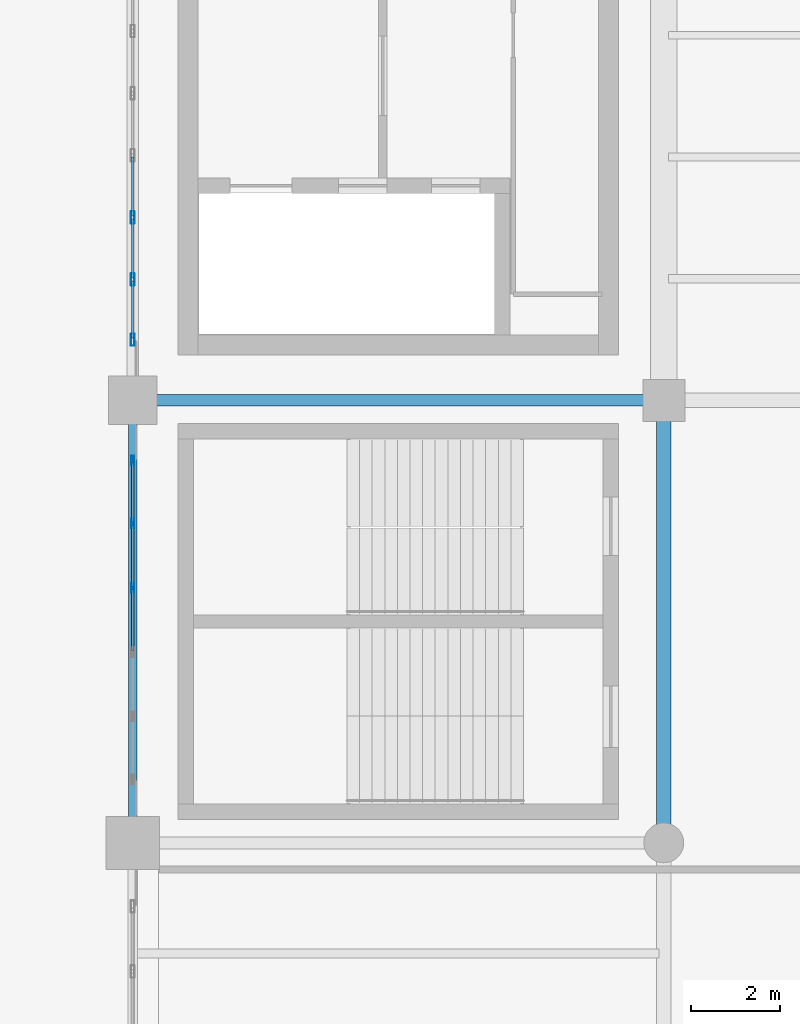
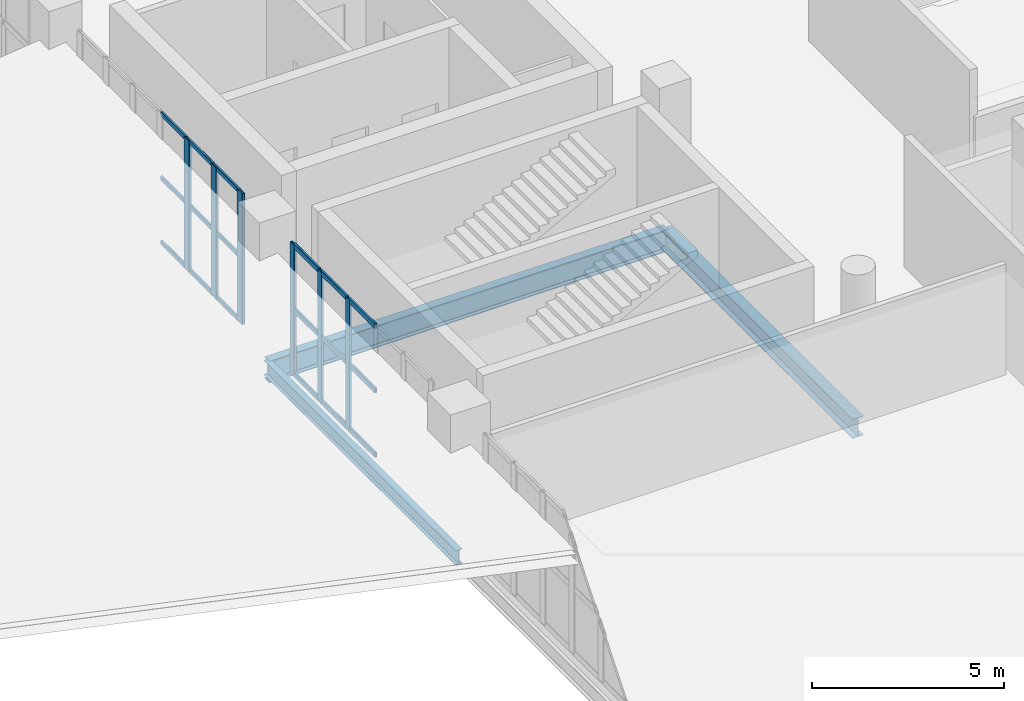
# One storey, part 23 of 90: 24 members, 3 beams, 2 elements without a shape of their own.
"""IFC4 building model written with IfcOpenShell, lengths in metres."""

from ifc_helpers import new_model, si_unit, direction, frame, origin, origin_2d, place, context, subcontext, project, spatial, hollow_rectangle, i_section, extrude, material, layer, layer_set, material_profile, profile_set, type_object, element, aggregate, save


model = new_model("IFC4")

# Units and contexts
model_context = context("Model", 3, precision=1e-05, world=origin(), true_north=direction((0.0, 1.0)))
body_context = subcontext(model_context, "Body", "Model", "MODEL_VIEW")
ifc_project = project(units=[si_unit("LENGTHUNIT", "METRE"), si_unit("AREAUNIT", "SQUARE_METRE"), si_unit("VOLUMEUNIT", "CUBIC_METRE"), si_unit("PLANEANGLEUNIT", "RADIAN"), si_unit("MASSUNIT", "GRAM", prefix="KILO")], contexts=[model_context])

# Site, building, storey
site_placement = place(None, origin())
site = spatial("IfcSite", under=ifc_project, at=site_placement, CompositionType="ELEMENT")
building_placement = place(site_placement, origin())
building = spatial("IfcBuilding", under=site, at=building_placement, Name="Brinegate Civic Arena", CompositionType="ELEMENT")
storey_placement = place(building_placement, frame((0.0, 0.0, 14.699951171875)))
storey = spatial("IfcBuildingStorey", under=building, at=storey_placement, Name="L03", CompositionType="ELEMENT", Elevation=14.699951171875)

# Curtain wall, members
ifc_material_1 = material(Name="Marine grade aluminium", Category="aluminium")
ifc_layer = layer(ifc_material_1, 0.199951171875, Name="Marine grade aluminium")
ifc_layer_set = layer_set([ifc_layer], Name="Marine grade aluminium")
curtain_wall_type = type_object("IfcCurtainWallType", Name="CW-BOWL-GLAZED-01", PredefinedType="USERDEFINED", material=ifc_layer_set)
curtain_wall_1_placement = place(storey_placement, origin())
curtain_wall_1 = element("IfcCurtainWall", 1, at=curtain_wall_1_placement, inside=storey, type_object=curtain_wall_type, Name="Curtain Wall CWA-117", ObjectType="GLAZED CURTAIN WALL", PredefinedType="USERDEFINED")
ifc_material_profile_1 = material_profile(ifc_material_1, hollow_rectangle(XDim=0.06494140625, YDim=0.219970703125, WallThickness=0.006103515625, InnerFilletRadius=0.00390625, OuterFilletRadius=0.008056640625, at=origin_2d()), Name="MUL65X220")
ifc_profile_set_1 = profile_set([ifc_material_profile_1], Name="Marine grade aluminium")
member_type_1 = type_object("IfcMemberType", Name="CW-MULLION-65X220", PredefinedType="MULLION", material=ifc_profile_set_1)
member_1_placement = place(storey_placement, frame((48.0, 77.7626953125, 0.0), z_axis=(0.0, 0.0, 1.0), x_axis=(-1.0, 0.0, 0.0)))
member_1 = element("IfcMember", 2, at=member_1_placement, type_object=member_type_1, Name="CWA-117 mullion 4", PredefinedType="MULLION", context=body_context, shape_type="SweptSolid", body=[
    extrude(hollow_rectangle(XDim=0.06494140625, YDim=0.219970703125, WallThickness=0.006103515625, InnerFilletRadius=0.00390625, OuterFilletRadius=0.008056640625, at=origin_2d()), origin(), (0.0, 0.0, 1.0), 4.16015625),
])
member_2_placement = place(storey_placement, frame((48.0, 79.21728515625, 0.0), z_axis=(0.0, 0.0, 1.0), x_axis=(-1.0, 0.0, 0.0)))
member_2 = element("IfcMember", 3, at=member_2_placement, type_object=member_type_1, Name="CWA-117 mullion 5", PredefinedType="MULLION", context=body_context, shape_type="SweptSolid", body=[
    extrude(hollow_rectangle(XDim=0.06494140625, YDim=0.219970703125, WallThickness=0.006103515625, InnerFilletRadius=0.00390625, OuterFilletRadius=0.008056640625, at=origin_2d()), origin(), (0.0, 0.0, 1.0), 4.16015625),
])
member_3_placement = place(storey_placement, frame((48.0, 80.639404296875, 0.0), z_axis=(0.0, 0.0, 1.0), x_axis=(-1.0, 0.0, 0.0)))
member_3 = element("IfcMember", 4, at=member_3_placement, type_object=member_type_1, Name="CWA-117 mullion 6", PredefinedType="MULLION", context=body_context, shape_type="SweptSolid", body=[
    extrude(hollow_rectangle(XDim=0.06494140625, YDim=0.219970703125, WallThickness=0.006103515625, InnerFilletRadius=0.00390625, OuterFilletRadius=0.008056640625, at=origin_2d()), origin(), (0.0, 0.0, 1.0), 4.16015625),
])

curtain_wall_2_placement = place(storey_placement, origin())
curtain_wall_2 = element("IfcCurtainWall", 5, at=curtain_wall_2_placement, inside=storey, type_object=curtain_wall_type, Name="Curtain Wall CWA-119", ObjectType="GLAZED CURTAIN WALL", PredefinedType="USERDEFINED")
ifc_material_profile_2 = material_profile(ifc_material_1, hollow_rectangle(XDim=0.080078125, YDim=0.280029296875, WallThickness=0.007080078125, InnerFilletRadius=0.0048828125, OuterFilletRadius=0.010009765625, at=origin_2d()), Name="MUL80X280")
ifc_profile_set_2 = profile_set([ifc_material_profile_2], Name="Marine grade aluminium")
member_type_2 = type_object("IfcMemberType", Name="CW-MULLION-80X280", PredefinedType="MULLION", material=ifc_profile_set_2)
member_4_placement = place(storey_placement, frame((48.0, 83.367919921875, 0.0), z_axis=(0.0, 0.0, 1.0), x_axis=(-1.0, 0.0, 0.0)))
member_4 = element("IfcMember", 6, at=member_4_placement, type_object=member_type_2, Name="CWA-119 mullion 1", PredefinedType="MULLION", context=body_context, shape_type="SweptSolid", body=[
    extrude(hollow_rectangle(XDim=0.080078125, YDim=0.280029296875, WallThickness=0.007080078125, InnerFilletRadius=0.0048828125, OuterFilletRadius=0.010009765625, at=origin_2d()), origin(), (0.0, 0.0, 1.0), 4.16015625),
])
member_5_placement = place(storey_placement, frame((48.0, 84.73046875, 0.0), z_axis=(0.0, 0.0, 1.0), x_axis=(-1.0, 0.0, 0.0)))
member_5 = element("IfcMember", 7, at=member_5_placement, type_object=member_type_2, Name="CWA-119 mullion 2", PredefinedType="MULLION", context=body_context, shape_type="SweptSolid", body=[
    extrude(hollow_rectangle(XDim=0.080078125, YDim=0.280029296875, WallThickness=0.007080078125, InnerFilletRadius=0.0048828125, OuterFilletRadius=0.010009765625, at=origin_2d()), origin(), (0.0, 0.0, 1.0), 4.16015625),
])
member_6_placement = place(storey_placement, frame((48.0, 86.133056640625, 0.0), z_axis=(0.0, 0.0, 1.0), x_axis=(-1.0, 0.0, 0.0)))
member_6 = element("IfcMember", 8, at=member_6_placement, type_object=member_type_2, Name="CWA-119 mullion 3", PredefinedType="MULLION", context=body_context, shape_type="SweptSolid", body=[
    extrude(hollow_rectangle(XDim=0.080078125, YDim=0.280029296875, WallThickness=0.007080078125, InnerFilletRadius=0.0048828125, OuterFilletRadius=0.010009765625, at=origin_2d()), origin(), (0.0, 0.0, 1.0), 4.16015625),
])
ifc_material_profile_3 = material_profile(ifc_material_1, hollow_rectangle(XDim=0.06494140625, YDim=0.139892578125, WallThickness=0.0048828125, InnerFilletRadius=0.00390625, OuterFilletRadius=0.008056640625, at=origin_2d()), Name="TRN65X140")
ifc_profile_set_3 = profile_set([ifc_material_profile_3], Name="Marine grade aluminium")
member_type_3 = type_object("IfcMemberType", Name="CW-TRANSOM-65X140", PredefinedType="USERDEFINED", material=ifc_profile_set_3)
member_7_placement = place(storey_placement, frame((48.0, 83.407958984375, 0.032470703125), z_axis=(0.0, 1.0, 0.0), x_axis=(-1.0, 0.0, 0.0)))
member_7 = element("IfcMember", 9, at=member_7_placement, type_object=member_type_3, Name="CWA-119 transom 1.1", ObjectType="TRANSOM", PredefinedType="USERDEFINED", context=body_context, shape_type="SweptSolid", body=[
    extrude(hollow_rectangle(XDim=0.06494140625, YDim=0.139892578125, WallThickness=0.0048828125, InnerFilletRadius=0.00390625, OuterFilletRadius=0.008056640625, at=origin_2d()), origin(), (0.0, 0.0, 1.0), 1.282470703125),
])
member_8_placement = place(storey_placement, frame((48.0, 83.407958984375, 2.080078125), z_axis=(0.0, 1.0, 0.0), x_axis=(-1.0, 0.0, 0.0)))
member_8 = element("IfcMember", 10, at=member_8_placement, type_object=member_type_3, Name="CWA-119 transom 1.2", ObjectType="TRANSOM", PredefinedType="USERDEFINED", context=body_context, shape_type="SweptSolid", body=[
    extrude(hollow_rectangle(XDim=0.06494140625, YDim=0.139892578125, WallThickness=0.0048828125, InnerFilletRadius=0.00390625, OuterFilletRadius=0.008056640625, at=origin_2d()), origin(), (0.0, 0.0, 1.0), 1.282470703125),
])
member_9_placement = place(storey_placement, frame((48.0, 83.407958984375, 4.12744140625), z_axis=(0.0, 1.0, 0.0), x_axis=(-1.0, 0.0, 0.0)))
member_9 = element("IfcMember", 11, at=member_9_placement, type_object=member_type_3, Name="CWA-119 transom 1.3", ObjectType="TRANSOM", PredefinedType="USERDEFINED", context=body_context, shape_type="SweptSolid", body=[
    extrude(hollow_rectangle(XDim=0.06494140625, YDim=0.139892578125, WallThickness=0.0048828125, InnerFilletRadius=0.00390625, OuterFilletRadius=0.008056640625, at=origin_2d()), origin(), (0.0, 0.0, 1.0), 1.282470703125),
])
member_10_placement = place(storey_placement, frame((48.0, 84.7705078125, 0.032470703125), z_axis=(0.0, 1.0, 0.0), x_axis=(-1.0, 0.0, 0.0)))
member_10 = element("IfcMember", 12, at=member_10_placement, type_object=member_type_3, Name="CWA-119 transom 2.1", ObjectType="TRANSOM", PredefinedType="USERDEFINED", context=body_context, shape_type="SweptSolid", body=[
    extrude(hollow_rectangle(XDim=0.06494140625, YDim=0.139892578125, WallThickness=0.0048828125, InnerFilletRadius=0.00390625, OuterFilletRadius=0.008056640625, at=origin_2d()), origin(), (0.0, 0.0, 1.0), 1.322509765625),
])
member_11_placement = place(storey_placement, frame((48.0, 84.7705078125, 2.080078125), z_axis=(0.0, 1.0, 0.0), x_axis=(-1.0, 0.0, 0.0)))
member_11 = element("IfcMember", 13, at=member_11_placement, type_object=member_type_3, Name="CWA-119 transom 2.2", ObjectType="TRANSOM", PredefinedType="USERDEFINED", context=body_context, shape_type="SweptSolid", body=[
    extrude(hollow_rectangle(XDim=0.06494140625, YDim=0.139892578125, WallThickness=0.0048828125, InnerFilletRadius=0.00390625, OuterFilletRadius=0.008056640625, at=origin_2d()), origin(), (0.0, 0.0, 1.0), 1.322509765625),
])
member_12_placement = place(storey_placement, frame((48.0, 84.7705078125, 4.12744140625), z_axis=(0.0, 1.0, 0.0), x_axis=(-1.0, 0.0, 0.0)))
member_12 = element("IfcMember", 14, at=member_12_placement, type_object=member_type_3, Name="CWA-119 transom 2.3", ObjectType="TRANSOM", PredefinedType="USERDEFINED", context=body_context, shape_type="SweptSolid", body=[
    extrude(hollow_rectangle(XDim=0.06494140625, YDim=0.139892578125, WallThickness=0.0048828125, InnerFilletRadius=0.00390625, OuterFilletRadius=0.008056640625, at=origin_2d()), origin(), (0.0, 0.0, 1.0), 1.322509765625),
])
member_13_placement = place(storey_placement, frame((48.0, 86.173095703125, 0.032470703125), z_axis=(0.0, 1.0, 0.0), x_axis=(-1.0, 0.0, 0.0)))
member_13 = element("IfcMember", 15, at=member_13_placement, type_object=member_type_3, Name="CWA-119 transom 3.1", ObjectType="TRANSOM", PredefinedType="USERDEFINED", context=body_context, shape_type="SweptSolid", body=[
    extrude(hollow_rectangle(XDim=0.06494140625, YDim=0.139892578125, WallThickness=0.0048828125, InnerFilletRadius=0.00390625, OuterFilletRadius=0.008056640625, at=origin_2d()), origin(), (0.0, 0.0, 1.0), 1.322509765625),
])
member_14_placement = place(storey_placement, frame((48.0, 86.173095703125, 2.080078125), z_axis=(0.0, 1.0, 0.0), x_axis=(-1.0, 0.0, 0.0)))
member_14 = element("IfcMember", 16, at=member_14_placement, type_object=member_type_3, Name="CWA-119 transom 3.2", ObjectType="TRANSOM", PredefinedType="USERDEFINED", context=body_context, shape_type="SweptSolid", body=[
    extrude(hollow_rectangle(XDim=0.06494140625, YDim=0.139892578125, WallThickness=0.0048828125, InnerFilletRadius=0.00390625, OuterFilletRadius=0.008056640625, at=origin_2d()), origin(), (0.0, 0.0, 1.0), 1.322509765625),
])
member_15_placement = place(storey_placement, frame((48.0, 86.173095703125, 4.12744140625), z_axis=(0.0, 1.0, 0.0), x_axis=(-1.0, 0.0, 0.0)))
member_15 = element("IfcMember", 17, at=member_15_placement, type_object=member_type_3, Name="CWA-119 transom 3.3", ObjectType="TRANSOM", PredefinedType="USERDEFINED", context=body_context, shape_type="SweptSolid", body=[
    extrude(hollow_rectangle(XDim=0.06494140625, YDim=0.139892578125, WallThickness=0.0048828125, InnerFilletRadius=0.00390625, OuterFilletRadius=0.008056640625, at=origin_2d()), origin(), (0.0, 0.0, 1.0), 1.322509765625),
])
aggregate(curtain_wall_2, [member_4, member_5, member_6, member_7, member_8, member_9, member_10, member_11, member_12, member_13, member_14, member_15])

# Member
ifc_material_profile_4 = material_profile(ifc_material_1, hollow_rectangle(XDim=0.06494140625, YDim=0.1650390625, WallThickness=0.0048828125, InnerFilletRadius=0.00390625, OuterFilletRadius=0.008056640625, at=origin_2d()), Name="TRN65X165")
ifc_profile_set_4 = profile_set([ifc_material_profile_4], Name="Marine grade aluminium")
member_type_4 = type_object("IfcMemberType", Name="CW-TRANSOM-65X165", PredefinedType="USERDEFINED", material=ifc_profile_set_4)
member_16_placement = place(storey_placement, frame((48.0, 76.3408203125, 0.032470703125), z_axis=(0.0, 1.0, 0.0), x_axis=(-1.0, 0.0, 0.0)))
member_16 = element("IfcMember", 18, at=member_16_placement, type_object=member_type_4, Name="CWA-117 transom 3.1", ObjectType="TRANSOM", PredefinedType="USERDEFINED", context=body_context, shape_type="SweptSolid", body=[
    extrude(hollow_rectangle(XDim=0.06494140625, YDim=0.1650390625, WallThickness=0.0048828125, InnerFilletRadius=0.00390625, OuterFilletRadius=0.008056640625, at=origin_2d()), origin(), (0.0, 0.0, 1.0), 1.389404296875),
])

member_17_placement = place(storey_placement, frame((48.0, 76.3408203125, 2.080078125), z_axis=(0.0, 1.0, 0.0), x_axis=(-1.0, 0.0, 0.0)))
member_17 = element("IfcMember", 19, at=member_17_placement, type_object=member_type_4, Name="CWA-117 transom 3.2", ObjectType="TRANSOM", PredefinedType="USERDEFINED", context=body_context, shape_type="SweptSolid", body=[
    extrude(hollow_rectangle(XDim=0.06494140625, YDim=0.1650390625, WallThickness=0.0048828125, InnerFilletRadius=0.00390625, OuterFilletRadius=0.008056640625, at=origin_2d()), origin(), (0.0, 0.0, 1.0), 1.389404296875),
])

member_18_placement = place(storey_placement, frame((48.0, 76.3408203125, 4.12744140625), z_axis=(0.0, 1.0, 0.0), x_axis=(-1.0, 0.0, 0.0)))
member_18 = element("IfcMember", 20, at=member_18_placement, type_object=member_type_4, Name="CWA-117 transom 3.3", ObjectType="TRANSOM", PredefinedType="USERDEFINED", context=body_context, shape_type="SweptSolid", body=[
    extrude(hollow_rectangle(XDim=0.06494140625, YDim=0.1650390625, WallThickness=0.0048828125, InnerFilletRadius=0.00390625, OuterFilletRadius=0.008056640625, at=origin_2d()), origin(), (0.0, 0.0, 1.0), 1.389404296875),
])

member_19_placement = place(storey_placement, frame((48.0, 77.79541015625, 0.032470703125), z_axis=(0.0, 1.0, 0.0), x_axis=(-1.0, 0.0, 0.0)))
member_19 = element("IfcMember", 21, at=member_19_placement, type_object=member_type_4, Name="CWA-117 transom 4.1", ObjectType="TRANSOM", PredefinedType="USERDEFINED", context=body_context, shape_type="SweptSolid", body=[
    extrude(hollow_rectangle(XDim=0.06494140625, YDim=0.1650390625, WallThickness=0.0048828125, InnerFilletRadius=0.00390625, OuterFilletRadius=0.008056640625, at=origin_2d()), origin(), (0.0, 0.0, 1.0), 1.389404296875),
])

member_20_placement = place(storey_placement, frame((48.0, 77.79541015625, 2.080078125), z_axis=(0.0, 1.0, 0.0), x_axis=(-1.0, 0.0, 0.0)))
member_20 = element("IfcMember", 22, at=member_20_placement, type_object=member_type_4, Name="CWA-117 transom 4.2", ObjectType="TRANSOM", PredefinedType="USERDEFINED", context=body_context, shape_type="SweptSolid", body=[
    extrude(hollow_rectangle(XDim=0.06494140625, YDim=0.1650390625, WallThickness=0.0048828125, InnerFilletRadius=0.00390625, OuterFilletRadius=0.008056640625, at=origin_2d()), origin(), (0.0, 0.0, 1.0), 1.389404296875),
])

member_21_placement = place(storey_placement, frame((48.0, 77.79541015625, 4.12744140625), z_axis=(0.0, 1.0, 0.0), x_axis=(-1.0, 0.0, 0.0)))
member_21 = element("IfcMember", 23, at=member_21_placement, type_object=member_type_4, Name="CWA-117 transom 4.3", ObjectType="TRANSOM", PredefinedType="USERDEFINED", context=body_context, shape_type="SweptSolid", body=[
    extrude(hollow_rectangle(XDim=0.06494140625, YDim=0.1650390625, WallThickness=0.0048828125, InnerFilletRadius=0.00390625, OuterFilletRadius=0.008056640625, at=origin_2d()), origin(), (0.0, 0.0, 1.0), 1.389404296875),
])

member_22_placement = place(storey_placement, frame((48.0, 79.25, 0.032470703125), z_axis=(0.0, 1.0, 0.0), x_axis=(-1.0, 0.0, 0.0)))
member_22 = element("IfcMember", 24, at=member_22_placement, type_object=member_type_4, Name="CWA-117 transom 5.1", ObjectType="TRANSOM", PredefinedType="USERDEFINED", context=body_context, shape_type="SweptSolid", body=[
    extrude(hollow_rectangle(XDim=0.06494140625, YDim=0.1650390625, WallThickness=0.0048828125, InnerFilletRadius=0.00390625, OuterFilletRadius=0.008056640625, at=origin_2d()), origin(), (0.0, 0.0, 1.0), 1.35693359375),
])

member_23_placement = place(storey_placement, frame((48.0, 79.25, 2.080078125), z_axis=(0.0, 1.0, 0.0), x_axis=(-1.0, 0.0, 0.0)))
member_23 = element("IfcMember", 25, at=member_23_placement, type_object=member_type_4, Name="CWA-117 transom 5.2", ObjectType="TRANSOM", PredefinedType="USERDEFINED", context=body_context, shape_type="SweptSolid", body=[
    extrude(hollow_rectangle(XDim=0.06494140625, YDim=0.1650390625, WallThickness=0.0048828125, InnerFilletRadius=0.00390625, OuterFilletRadius=0.008056640625, at=origin_2d()), origin(), (0.0, 0.0, 1.0), 1.35693359375),
])

member_24_placement = place(storey_placement, frame((48.0, 79.25, 4.12744140625), z_axis=(0.0, 1.0, 0.0), x_axis=(-1.0, 0.0, 0.0)))
member_24 = element("IfcMember", 26, at=member_24_placement, type_object=member_type_4, Name="CWA-117 transom 5.3", ObjectType="TRANSOM", PredefinedType="USERDEFINED", context=body_context, shape_type="SweptSolid", body=[
    extrude(hollow_rectangle(XDim=0.06494140625, YDim=0.1650390625, WallThickness=0.0048828125, InnerFilletRadius=0.00390625, OuterFilletRadius=0.008056640625, at=origin_2d()), origin(), (0.0, 0.0, 1.0), 1.35693359375),
])

aggregate(curtain_wall_1, [member_1, member_2, member_3, member_16, member_17, member_18, member_19, member_20, member_21, member_22, member_23, member_24])

# Beams
ifc_material_2 = material(Name="Steel S355", Category="steel")
ifc_material_profile_5 = material_profile(ifc_material_2, i_section(OverallWidth=0.324951171875, OverallDepth=0.615966796875, WebThickness=0.013916015625, FlangeThickness=0.02197265625, FilletRadius=0.01611328125, at=origin_2d()), Name="W610X174")
ifc_profile_set_5 = profile_set([ifc_material_profile_5], Name="Steel S355")
beam_type_1 = type_object("IfcBeamType", Name="GIRDER-W610X174", PredefinedType="BEAM", material=ifc_profile_set_5)
beam_1_placement = place(storey_placement, frame((60.0, 72.0, -0.657958984375), z_axis=(0.0, 1.0, 0.0), x_axis=(-1.0, 0.0, 0.0)))
element("IfcBeam", 27, at=beam_1_placement, inside=storey, type_object=beam_type_1, Name="Floor Girder BM-L03-GY-05-07", PredefinedType="BEAM", context=body_context, shape_type="SweptSolid", body=[
    extrude(i_section(OverallWidth=0.324951171875, OverallDepth=0.615966796875, WebThickness=0.013916015625, FlangeThickness=0.02197265625, FilletRadius=0.01611328125, at=origin_2d()), origin(), (0.0, 0.0, 1.0), 10.0),
])
ifc_material_profile_6 = material_profile(ifc_material_2, i_section(OverallWidth=0.256103515625, OverallDepth=0.693115234375, WebThickness=0.014892578125, FlangeThickness=0.02392578125, FilletRadius=0.01806640625, at=origin_2d()), Name="W690X170")
ifc_profile_set_6 = profile_set([ifc_material_profile_6], Name="Steel S355")
beam_type_2 = type_object("IfcBeamType", Name="GIRDER-W690X170", PredefinedType="BEAM", material=ifc_profile_set_6)
beam_2_placement = place(storey_placement, frame((48.0, 82.0, -0.696044921875), z_axis=(1.0, 0.0, 0.0), x_axis=(0.0, 1.0, 0.0)))
element("IfcBeam", 28, at=beam_2_placement, inside=storey, type_object=beam_type_2, Name="Floor Girder BM-L03-GX-04-08", PredefinedType="BEAM", context=body_context, shape_type="SweptSolid", body=[
    extrude(i_section(OverallWidth=0.256103515625, OverallDepth=0.693115234375, WebThickness=0.014892578125, FlangeThickness=0.02392578125, FilletRadius=0.01806640625, at=origin_2d()), origin(), (0.0, 0.0, 1.0), 12.0),
])
ifc_material_profile_7 = material_profile(ifc_material_2, i_section(OverallWidth=0.193115234375, OverallDepth=0.466064453125, WebThickness=0.010986328125, FlangeThickness=0.01904296875, FilletRadius=0.014892578125, at=origin_2d()), Name="W460X97")
ifc_profile_set_7 = profile_set([ifc_material_profile_7], Name="Steel S355")
beam_type_3 = type_object("IfcBeamType", Name="SPANDREL-W460X97", PredefinedType="SPANDREL", material=ifc_profile_set_7)
beam_3_placement = place(storey_placement, frame((48.0, 72.0, -0.5830078125), z_axis=(0.0, 1.0, 0.0), x_axis=(-1.0, 0.0, 0.0)))
element("IfcBeam", 29, at=beam_3_placement, inside=storey, type_object=beam_type_3, Name="Floor Girder BM-L03-GY-04-07", PredefinedType="SPANDREL", context=body_context, shape_type="SweptSolid", body=[
    extrude(i_section(OverallWidth=0.193115234375, OverallDepth=0.466064453125, WebThickness=0.010986328125, FlangeThickness=0.01904296875, FilletRadius=0.014892578125, at=origin_2d()), origin(), (0.0, 0.0, 1.0), 10.0),
])

save(model, "model.ifc")
